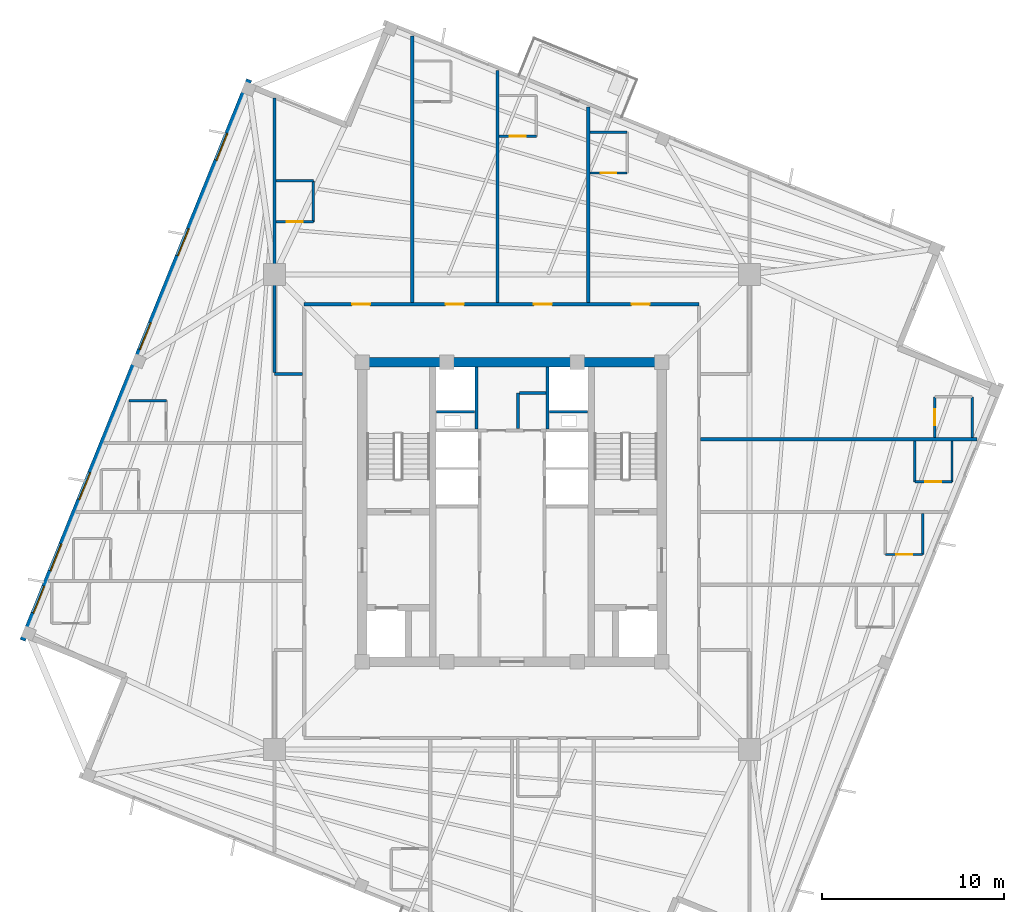
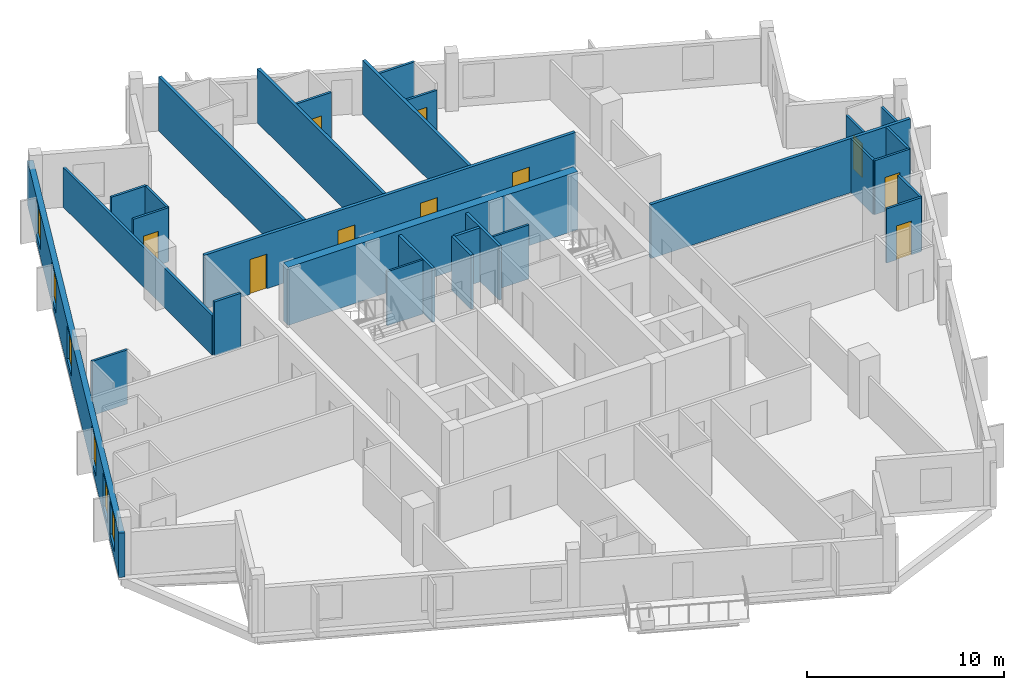
# One storey, part 5 of 9: 29 walls, 10 doors, 6 windows, 16 openings.
"""IFC4 building model written with IfcOpenShell, lengths in metres."""

from ifc_helpers import new_model, si_unit, direction, frame, frame_2d, origin, place, context, subcontext, project, spatial, rectangle, extrude, source, transform, mapped, material, layer, layer_set, type_object, element, fill, save


model = new_model("IFC4")

# Units and contexts
model_context = context("Model", 3, precision=1e-05, world=origin(), true_north=direction((0.0, 1.0)))
body_context = subcontext(model_context, "Body", "Model", "MODEL_VIEW")
ifc_project = project(units=[si_unit("LENGTHUNIT", "METRE"), si_unit("AREAUNIT", "SQUARE_METRE"), si_unit("VOLUMEUNIT", "CUBIC_METRE"), si_unit("PLANEANGLEUNIT", "RADIAN"), si_unit("MASSUNIT", "GRAM", prefix="KILO"), si_unit("THERMODYNAMICTEMPERATUREUNIT", "KELVIN")], contexts=[model_context])

# Site, building, storey
site_placement = place(None, origin())
site = spatial("IfcSite", under=ifc_project, at=site_placement, CompositionType="ELEMENT")
building_placement = place(site_placement, origin())
building = spatial("IfcBuilding", under=site, at=building_placement, Name="Kosmvard Interchange Tower", CompositionType="ELEMENT")
storey_placement = place(building_placement, frame((0.0, 0.0, 276.0)))
storey = spatial("IfcBuildingStorey", under=building, at=storey_placement, Name="L67", CompositionType="ELEMENT", Elevation=276.0)

# Walls
ifc_material_1 = material(Name="Acoustic gypsum partition system")
ifc_layer_1 = layer(ifc_material_1, 0.14990234375, Name="Acoustic gypsum partition system")
ifc_layer_set_1 = layer_set([ifc_layer_1], Name="Acoustic gypsum partition system")
wall_type_1 = type_object("IfcWallType", Name="Acoustic Suite & Meeting Partition 150", PredefinedType="PARTITIONING", material=ifc_layer_set_1)
wall_1_placement = place(storey_placement, frame((-11.544921875, 7.60009765625, 0.0), z_axis=(0.0, 0.0, 1.0), x_axis=(-1.0, 0.0, 0.0)))
element("IfcWall", 1, at=wall_1_placement, inside=storey, type_object=wall_type_1, Name="L67 Room Partition 13.1", PredefinedType="PARTITIONING", context=body_context, shape_type="SweptSolid", body=[
    extrude(rectangle(XDim=1.5361328125, YDim=0.14990234375, at=frame_2d((0.76806640625, 0.0))), origin(), (0.0, 0.0, 1.0), 3.35009765625),
])
wall_2_placement = place(storey_placement, frame((-13.0810546875, 7.675048828125, 0.0), z_axis=(0.0, 0.0, 1.0), x_axis=(0.0, 1.0, 0.0)))
element("IfcWall", 2, at=wall_2_placement, inside=storey, type_object=wall_type_1, Name="L67 Room Partition 14.1", PredefinedType="PARTITIONING", context=body_context, shape_type="SweptSolid", body=[
    extrude(rectangle(XDim=15.1416015625, YDim=0.14990234375, at=frame_2d((7.57080078125, 0.0))), origin(), (0.0, 0.0, 1.0), 2.449951171875),
])
ifc_material_2 = material(Name="Fire-rated gypsum partition system")
ifc_layer_2 = layer(ifc_material_2, 0.159912109375, Name="Fire-rated gypsum partition system")
ifc_layer_set_2 = layer_set([ifc_layer_2], Name="Fire-rated gypsum partition system")
wall_type_2 = type_object("IfcWallType", Name="Core Compartment & Shuttle Lobby Partition 160", PredefinedType="PARTITIONING", material=ifc_layer_set_2)
for number, where, z_axis, x_axis, name in (
    (3, (-1.9599609375, 4.580078125, 0.0), (0.0, 0.0, 1.0), (0.0, 1.0, 0.0), "L67 North Core West Wall"),
    (4, (1.9599609375, 4.580078125, 0.0), (0.0, 0.0, 1.0), (0.0, 1.0, 0.0), "L67 North Core East Wall"),
):
    element("IfcWall", number, at=place(storey_placement, frame(where, z_axis=z_axis, x_axis=x_axis)), inside=storey, type_object=wall_type_2, Name=name, PredefinedType="PARTITIONING", context=body_context, shape_type="SweptSolid", body=[
        extrude(rectangle(XDim=3.39990234375, YDim=0.159912109375, at=frame_2d((1.699951171875, 0.0))), origin(), (0.0, 0.0, 1.0), 3.35009765625),
    ])
ifc_material_3 = material(Name="Concrete blockwork masonry", Category="masonry")
ifc_layer_3 = layer(ifc_material_3, 0.159912109375, Name="Concrete blockwork masonry")
ifc_layer_set_3 = layer_set([ifc_layer_3], Name="Concrete blockwork masonry")
wall_type_3 = type_object("IfcWallType", Name="Core Enclosure Split Wall 160", PredefinedType="PARTITIONING", material=ifc_layer_set_3)
wall_3_placement = place(storey_placement, frame((0.320068359375, 4.60009765625, 0.0), z_axis=(0.0, 0.0, 1.0), x_axis=(0.0, 1.0, 0.0)))
element("IfcWall", 5, at=wall_3_placement, inside=storey, type_object=wall_type_3, Name="L67 Core K3 L-Wall 1", PredefinedType="PARTITIONING", context=body_context, shape_type="SweptSolid", body=[
    extrude(rectangle(XDim=1.949951171875, YDim=0.159912109375, at=frame_2d((0.97509765625, 0.0))), origin(), (0.0, 0.0, 1.0), 3.35009765625),
])
wall_4_placement = place(storey_placement, frame((0.39990234375, 6.550048828125, 0.0), z_axis=(0.0, 0.0, 1.0), x_axis=(1.0, 0.0, 0.0)))
element("IfcWall", 6, at=wall_4_placement, inside=storey, type_object=wall_type_3, Name="L67 Core K3 L-Wall 2", PredefinedType="PARTITIONING", context=body_context, shape_type="SweptSolid", body=[
    extrude(rectangle(XDim=1.460205078125, YDim=0.159912109375, at=frame_2d((0.72998046875, 0.0))), origin(), (0.0, 0.0, 1.0), 3.35009765625),
])

# Wall, openings, doors
ifc_layer_4 = layer(ifc_material_2, 0.179931640625, Name="Fire-rated gypsum partition system")
ifc_layer_set_4 = layer_set([ifc_layer_4], Name="Fire-rated gypsum partition system")
wall_type_4 = type_object("IfcWallType", Name="Corridor & Hotel Compartment Partition 180", PredefinedType="PARTITIONING", material=ifc_layer_set_4)
wall_5_placement = place(storey_placement, frame((-11.449951171875, 11.449951171875, 0.0), z_axis=(0.0, 0.0, 1.0), x_axis=(1.0, 0.0, 0.0)))
wall_5 = element("IfcWall", 7, at=wall_5_placement, inside=storey, type_object=wall_type_4, Name="L67 Corridor Wall CN", PredefinedType="PARTITIONING", context=body_context, shape_type="SweptSolid", body=[
    extrude(rectangle(XDim=21.75, YDim=0.179931640625, at=frame_2d((10.875, 0.0))), origin(), (0.0, 0.0, 1.0), 3.35009765625),
])
opening_1_placement = place(wall_5_placement, frame((2.639404296875, 0.0, 0.0)))
opening_1 = element("IfcOpeningElement", 8, at=opening_1_placement, cuts=wall_5, Name="Opening L67-D06", PredefinedType="OPENING", context=body_context, shape_type="SweptSolid", body=[
    extrude(rectangle(XDim=1.0, YDim=2.14990234375, at=frame_2d((0.5, 1.074951171875))), frame((0.0, 0.10009765625, 0.0), z_axis=(0.0, -1.0, 0.0), x_axis=(1.0, 0.0, 0.0)), (0.0, 0.0, 1.0), 0.199951171875),
])
opening_2_placement = place(wall_5_placement, frame((7.800048828125, 0.0, 0.0)))
opening_2 = element("IfcOpeningElement", 9, at=opening_2_placement, cuts=wall_5, Name="Opening L67-D08", PredefinedType="OPENING", context=body_context, shape_type="SweptSolid", body=[
    extrude(rectangle(XDim=1.0, YDim=2.14990234375, at=frame_2d((0.5, 1.074951171875))), frame((0.0, 0.10009765625, 0.0), z_axis=(0.0, -1.0, 0.0), x_axis=(1.0, 0.0, 0.0)), (0.0, 0.0, 1.0), 0.199951171875),
])
opening_3_placement = place(wall_5_placement, frame((12.64990234375, 0.0, 0.0)))
opening_3 = element("IfcOpeningElement", 10, at=opening_3_placement, cuts=wall_5, Name="Opening L67-D10", PredefinedType="OPENING", context=body_context, shape_type="SweptSolid", body=[
    extrude(rectangle(XDim=1.0, YDim=2.14990234375, at=frame_2d((0.5, 1.074951171875))), frame((0.0, 0.10009765625, 0.0), z_axis=(0.0, -1.0, 0.0), x_axis=(1.0, 0.0, 0.0)), (0.0, 0.0, 1.0), 0.199951171875),
])
opening_4_placement = place(wall_5_placement, frame((18.03564453125, 0.0, 0.0)))
opening_4 = element("IfcOpeningElement", 11, at=opening_4_placement, cuts=wall_5, Name="Opening L67-D12", PredefinedType="OPENING", context=body_context, shape_type="SweptSolid", body=[
    extrude(rectangle(XDim=1.0, YDim=2.14990234375, at=frame_2d((0.5, 1.074951171875))), frame((0.0, 0.10009765625, 0.0), z_axis=(0.0, -1.0, 0.0), x_axis=(1.0, 0.0, 0.0)), (0.0, 0.0, 1.0), 0.199951171875),
])
ifc_material_4 = material(Name="Engineered oak fire-rated timber", Category="wood")
door_type_1 = type_object("IfcDoorType", Name="Hotel Guestroom Entrance Door 1000x2150 EI60", OperationType="NOTDEFINED", PredefinedType="DOOR", material=ifc_material_4)
shared_shape_1 = source(origin(), body_context, "Body", "SweptSolid", [
    extrude(rectangle(XDim=1.0, YDim=2.14990234375, at=frame_2d((0.5, 1.074951171875))), frame((0.0, 0.02490234375, 0.0), z_axis=(0.0, -1.0, 0.0), x_axis=(1.0, 0.0, 0.0)), (0.0, 0.0, 1.0), 0.050048828125),
])
door_1_placement = place(opening_1_placement, origin())
door_1 = element("IfcDoor", 12, at=door_1_placement, inside=storey, type_object=door_type_1, Name="L67 Hotel Standard Junior Suite 3 Door", OperationType="SINGLE_SWING_RIGHT", OverallHeight=2.14990234375, OverallWidth=1.0, PredefinedType="DOOR", context=body_context, shape_type="MappedRepresentation", body=[
    mapped(shared_shape_1, transform((0.0, 0.0, 0.0), scale=1.0)),
])
fill(opening_1, door_1)
door_2_placement = place(opening_2_placement, origin())
door_2 = element("IfcDoor", 13, at=door_2_placement, inside=storey, type_object=door_type_1, Name="L67 Hotel Corner Suite 1 Door", OperationType="SINGLE_SWING_RIGHT", OverallHeight=2.14990234375, OverallWidth=1.0, PredefinedType="DOOR", context=body_context, shape_type="MappedRepresentation", body=[
    mapped(shared_shape_1, transform((0.0, 0.0, 0.0), scale=1.0)),
])
fill(opening_2, door_2)
door_3_placement = place(opening_3_placement, origin())
door_3 = element("IfcDoor", 14, at=door_3_placement, inside=storey, type_object=door_type_1, Name="L67 Hotel Twin Guest Room 4 Door", OperationType="SINGLE_SWING_RIGHT", OverallHeight=2.14990234375, OverallWidth=1.0, PredefinedType="DOOR", context=body_context, shape_type="MappedRepresentation", body=[
    mapped(shared_shape_1, transform((0.0, 0.0, 0.0), scale=1.0)),
])
fill(opening_3, door_3)
door_4_placement = place(opening_4_placement, origin())
door_4 = element("IfcDoor", 15, at=door_4_placement, inside=storey, type_object=door_type_1, Name="L67 Hotel Queen Junior Suite 5 Door", OperationType="SINGLE_SWING_RIGHT", OverallHeight=2.14990234375, OverallWidth=1.0, PredefinedType="DOOR", context=body_context, shape_type="MappedRepresentation", body=[
    mapped(shared_shape_1, transform((0.0, 0.0, 0.0), scale=1.0)),
])
fill(opening_4, door_4)

# Walls
wall_6_placement = place(storey_placement, frame((-5.5, 11.544921875, 0.0), z_axis=(0.0, 0.0, 1.0), x_axis=(0.0, 1.0, 0.0)))
element("IfcWall", 16, at=wall_6_placement, inside=storey, type_object=wall_type_4, Name="L67 Room Partition 01.1", PredefinedType="PARTITIONING", context=body_context, shape_type="SweptSolid", body=[
    extrude(rectangle(XDim=14.679931640625, YDim=0.179931640625, at=frame_2d((7.33984375, 0.0))), origin(), (0.0, 0.0, 1.0), 3.35009765625),
])
wall_7_placement = place(storey_placement, frame((-0.800048828125, 11.544921875, 0.0), z_axis=(0.0, 0.0, 1.0), x_axis=(0.0, 1.0, 0.0)))
element("IfcWall", 17, at=wall_7_placement, inside=storey, type_object=wall_type_4, Name="L67 Room Partition 02.1", PredefinedType="PARTITIONING", context=body_context, shape_type="SweptSolid", body=[
    extrude(rectangle(XDim=12.781005859375, YDim=0.179931640625, at=frame_2d((6.390625, 0.0))), origin(), (0.0, 0.0, 1.0), 3.35009765625),
])
wall_8_placement = place(storey_placement, frame((4.199951171875, 11.544921875, 0.0), z_axis=(0.0, 0.0, 1.0), x_axis=(0.0, 1.0, 0.0)))
element("IfcWall", 18, at=wall_8_placement, inside=storey, type_object=wall_type_4, Name="L67 Room Partition 03.1", PredefinedType="PARTITIONING", context=body_context, shape_type="SweptSolid", body=[
    extrude(rectangle(XDim=10.760986328125, YDim=0.179931640625, at=frame_2d((5.38037109375, 0.0))), origin(), (0.0, 0.0, 1.0), 3.35009765625),
])
wall_9_placement = place(storey_placement, frame((10.39501953125, 4.0, 0.0), z_axis=(0.0, 0.0, 1.0), x_axis=(1.0, 0.0, 0.0)))
element("IfcWall", 19, at=wall_9_placement, inside=storey, type_object=wall_type_4, Name="L67 Room Partition 04.1", PredefinedType="PARTITIONING", context=body_context, shape_type="SweptSolid", body=[
    extrude(rectangle(XDim=15.223876953125, YDim=0.179931640625, at=frame_2d((7.61181640625, 0.0))), origin(), (0.0, 0.0, 1.0), 3.35009765625),
])
ifc_material_5 = material(Name="Fire-rated gypsum shaftwall system")
ifc_layer_5 = layer(ifc_material_5, 0.1201171875, Name="Fire-rated gypsum shaftwall system")
ifc_layer_set_5 = layer_set([ifc_layer_5], Name="Fire-rated gypsum shaftwall system")
wall_type_5 = type_object("IfcWallType", Name="Shaft & Riser Fire Partition 120 EI60", PredefinedType="PARTITIONING", material=ifc_layer_set_5)
for number, where, z_axis, x_axis, name in (
    (20, (-4.159912109375, 5.52001953125, 0.0), (0.0, 0.0, 1.0), (1.0, 0.0, 0.0), "L67 Riser Shaft Divider W"),
    (21, (2.06005859375, 5.52001953125, 0.0), (0.0, 0.0, 1.0), (1.0, 0.0, 0.0), "L67 Riser Shaft Divider E"),
):
    element("IfcWall", number, at=place(storey_placement, frame(where, z_axis=z_axis, x_axis=x_axis)), inside=storey, type_object=wall_type_5, Name=name, PredefinedType="PARTITIONING", context=body_context, shape_type="SweptSolid", body=[
        extrude(rectangle(XDim=2.099853515625, YDim=0.1201171875, at=frame_2d((1.0498046875, 0.0))), origin(), (0.0, 0.0, 1.0), 3.35009765625),
    ])
ifc_material_6 = material(Name="Concrete C60/75", Category="concrete")
ifc_layer_6 = layer(ifc_material_6, 0.5, Name="Concrete C60/75")
ifc_layer_set_6 = layer_set([ifc_layer_6], Name="Concrete C60/75")
wall_type_6 = type_object("IfcWallType", Name="Upper Core Shear Wall 500 C60/75", PredefinedType="SHEAR", material=ifc_layer_set_6)
wall_10_placement = place(storey_placement, frame((-8.5, 8.25, 0.0), z_axis=(0.0, 0.0, 1.0), x_axis=(1.0, 0.0, 0.0)))
element("IfcWall", 22, at=wall_10_placement, inside=storey, type_object=wall_type_6, Name="L67 Core Shear Wall CW-N", PredefinedType="SHEAR", context=body_context, shape_type="SweptSolid", body=[
    extrude(rectangle(XDim=17.0, YDim=0.5, at=frame_2d((8.5, 0.0))), origin(), (0.0, 0.0, 1.0), 3.60009765625),
])

# Wall, openings, windows
ifc_material_7 = material(Name="Precast concrete C45/55", Category="concrete")
ifc_layer_7 = layer(ifc_material_7, 0.31005859375, Name="Precast concrete C45/55")
ifc_layer_set_7 = layer_set([ifc_layer_7], Name="Precast concrete C45/55")
wall_type_7 = type_object("IfcWallType", Name="Upper Tower Precast Pier Wall 310 C45/55", PredefinedType="STANDARD", material=ifc_layer_set_7)
wall_11_placement = place(storey_placement, frame((-14.478759765625, 23.812744140625, 0.0), z_axis=(0.0, 0.0, 1.0), x_axis=(-0.374609557019, -0.927182657188, 0.0)))
wall_11 = element("IfcWall", 23, at=wall_11_placement, inside=storey, type_object=wall_type_7, Name="L67 Precast Facade Wall F-N", PredefinedType="STANDARD", context=body_context, shape_type="SweptSolid", body=[
    extrude(rectangle(XDim=33.31005859375, YDim=0.31005859375, at=frame_2d((16.655029296875, 0.0))), origin(), (0.0, 0.0, 1.0), 2.75),
])
opening_5_placement = place(wall_11_placement, frame((3.197265625, 0.0, 0.469970703125)))
opening_5 = element("IfcOpeningElement", 24, at=opening_5_placement, cuts=wall_11, Name="Opening L67-W10", PredefinedType="OPENING", context=body_context, shape_type="SweptSolid", body=[
    extrude(rectangle(XDim=1.60009765625, YDim=2.10009765625, at=frame_2d((0.800048828125, 1.050048828125))), frame((0.0, 0.1650390625, 0.0), z_axis=(0.0, -1.0, 0.0), x_axis=(1.0, 0.0, 0.0)), (0.0, 0.0, 1.0), 0.330078125),
])
opening_6_placement = place(wall_11_placement, frame((8.85986328125, 0.0, 0.469970703125)))
opening_6 = element("IfcOpeningElement", 25, at=opening_6_placement, cuts=wall_11, Name="Opening L67-W11", PredefinedType="OPENING", context=body_context, shape_type="SweptSolid", body=[
    extrude(rectangle(XDim=1.60009765625, YDim=2.10009765625, at=frame_2d((0.800048828125, 1.050048828125))), frame((0.0, 0.1650390625, 0.0), z_axis=(0.0, -1.0, 0.0), x_axis=(1.0, 0.0, 0.0)), (0.0, 0.0, 1.0), 0.330078125),
])
opening_7_placement = place(wall_11_placement, frame((14.438720703125, 0.0, 0.469970703125)))
opening_7 = element("IfcOpeningElement", 26, at=opening_7_placement, cuts=wall_11, Name="Opening L67-W12", PredefinedType="OPENING", context=body_context, shape_type="SweptSolid", body=[
    extrude(rectangle(XDim=1.60009765625, YDim=2.10009765625, at=frame_2d((0.800048828125, 1.050048828125))), frame((0.0, 0.1650390625, 0.0), z_axis=(0.0, -1.0, 0.0), x_axis=(1.0, 0.0, 0.0)), (0.0, 0.0, 1.0), 0.330078125),
])
opening_8_placement = place(wall_11_placement, frame((23.350830078125, 0.0, 0.469970703125)))
opening_8 = element("IfcOpeningElement", 27, at=opening_8_placement, cuts=wall_11, Name="Opening L67-W13", PredefinedType="OPENING", context=body_context, shape_type="SweptSolid", body=[
    extrude(rectangle(XDim=1.60009765625, YDim=2.10009765625, at=frame_2d((0.800048828125, 1.050048828125))), frame((0.0, 0.1650390625, 0.0), z_axis=(0.0, -1.0, 0.0), x_axis=(1.0, 0.0, 0.0)), (0.0, 0.0, 1.0), 0.330078125),
])
opening_9_placement = place(wall_11_placement, frame((30.0966796875, 0.0, 0.469970703125)))
opening_9 = element("IfcOpeningElement", 28, at=opening_9_placement, cuts=wall_11, Name="Opening L67-W14", PredefinedType="OPENING", context=body_context, shape_type="SweptSolid", body=[
    extrude(rectangle(XDim=1.60009765625, YDim=2.10009765625, at=frame_2d((0.800048828125, 1.050048828125))), frame((0.0, 0.1650390625, 0.0), z_axis=(0.0, -1.0, 0.0), x_axis=(1.0, 0.0, 0.0)), (0.0, 0.0, 1.0), 0.330078125),
])
opening_10_placement = place(wall_11_placement, frame((27.58984375, 0.0, 0.469970703125)))
opening_10 = element("IfcOpeningElement", 29, at=opening_10_placement, cuts=wall_11, Name="Opening L67-DW23", PredefinedType="OPENING", context=body_context, shape_type="SweptSolid", body=[
    extrude(rectangle(XDim=1.60009765625, YDim=2.10009765625, at=frame_2d((0.800048828125, 1.050048828125))), frame((0.0, 0.1650390625, 0.0), z_axis=(0.0, -1.0, 0.0), x_axis=(1.0, 0.0, 0.0)), (0.0, 0.0, 1.0), 0.330078125),
])
ifc_material_8 = material(Name="Low-E acoustic double glazing", Category="glass")
window_type = type_object("IfcWindowType", Name="Zone 5 Hotel Punched Window 1600x2100", PartitioningType="SINGLE_PANEL", PredefinedType="WINDOW", material=ifc_material_8)
shared_shape_2 = source(origin(), body_context, "Body", "SweptSolid", [
    extrude(rectangle(XDim=1.60009765625, YDim=2.10009765625, at=frame_2d((0.800048828125, 1.050048828125))), frame((0.0, 0.030029296875, 0.0), z_axis=(0.0, -1.0, 0.0), x_axis=(1.0, 0.0, 0.0)), (0.0, 0.0, 1.0), 0.06005859375),
])
window_1_placement = place(opening_5_placement, origin())
window_1 = element("IfcWindow", 30, at=window_1_placement, inside=storey, type_object=window_type, Name="L67 Facade Punched Window 10", OverallHeight=2.10009765625, OverallWidth=1.60009765625, PartitioningType="SINGLE_PANEL", PredefinedType="WINDOW", context=body_context, shape_type="MappedRepresentation", body=[
    mapped(shared_shape_2, transform((0.0, 0.0, 0.0), scale=1.0)),
])
fill(opening_5, window_1)
window_2_placement = place(opening_6_placement, origin())
window_2 = element("IfcWindow", 31, at=window_2_placement, inside=storey, type_object=window_type, Name="L67 Facade Punched Window 11", OverallHeight=2.10009765625, OverallWidth=1.60009765625, PartitioningType="SINGLE_PANEL", PredefinedType="WINDOW", context=body_context, shape_type="MappedRepresentation", body=[
    mapped(shared_shape_2, transform((0.0, 0.0, 0.0), scale=1.0)),
])
fill(opening_6, window_2)
window_3_placement = place(opening_7_placement, origin())
window_3 = element("IfcWindow", 32, at=window_3_placement, inside=storey, type_object=window_type, Name="L67 Facade Punched Window 12", OverallHeight=2.10009765625, OverallWidth=1.60009765625, PartitioningType="SINGLE_PANEL", PredefinedType="WINDOW", context=body_context, shape_type="MappedRepresentation", body=[
    mapped(shared_shape_2, transform((0.0, 0.0, 0.0), scale=1.0)),
])
fill(opening_7, window_3)
window_4_placement = place(opening_8_placement, origin())
window_4 = element("IfcWindow", 33, at=window_4_placement, inside=storey, type_object=window_type, Name="L67 Facade Punched Window 13", OverallHeight=2.10009765625, OverallWidth=1.60009765625, PartitioningType="SINGLE_PANEL", PredefinedType="WINDOW", context=body_context, shape_type="MappedRepresentation", body=[
    mapped(shared_shape_2, transform((0.0, 0.0, 0.0), scale=1.0)),
])
fill(opening_8, window_4)
window_5_placement = place(opening_9_placement, origin())
window_5 = element("IfcWindow", 34, at=window_5_placement, inside=storey, type_object=window_type, Name="L67 Facade Punched Window 14", OverallHeight=2.10009765625, OverallWidth=1.60009765625, PartitioningType="SINGLE_PANEL", PredefinedType="WINDOW", context=body_context, shape_type="MappedRepresentation", body=[
    mapped(shared_shape_2, transform((0.0, 0.0, 0.0), scale=1.0)),
])
fill(opening_9, window_5)
window_6_placement = place(opening_10_placement, origin())
window_6 = element("IfcWindow", 35, at=window_6_placement, inside=storey, type_object=window_type, Name="L67 Guest Room Punched Window 23", OverallHeight=2.10009765625, OverallWidth=1.60009765625, PartitioningType="SINGLE_PANEL", PredefinedType="WINDOW", context=body_context, shape_type="MappedRepresentation", body=[
    mapped(shared_shape_2, transform((0.0, 0.0, 0.0), scale=1.0)),
])
fill(opening_10, window_6)

# Wall
ifc_material_9 = material(Name="Moisture-resistant gypsum partition")
ifc_layer_8 = layer(ifc_material_9, 0.135009765625, Name="Moisture-resistant gypsum partition")
ifc_layer_set_8 = layer_set([ifc_layer_8], Name="Moisture-resistant gypsum partition")
wall_type_8 = type_object("IfcWallType", Name="Wet Room Moisture-Resistant Partition 135", PredefinedType="PARTITIONING", material=ifc_layer_set_8)
wall_12_placement = place(storey_placement, frame((-21.084228515625, 6.139892578125, 0.0), z_axis=(0.0, 0.0, 1.0), x_axis=(1.0, 0.0, 0.0)))
element("IfcWall", 36, at=wall_12_placement, inside=storey, type_object=wall_type_8, Name="L67 En-Suite Partition HGR2-N", PredefinedType="PARTITIONING", context=body_context, shape_type="SweptSolid", body=[
    extrude(rectangle(XDim=2.050048828125, YDim=0.135009765625, at=frame_2d((1.02490234375, 0.0))), origin(), (0.0, 0.0, 1.0), 3.35009765625),
])

# Wall, opening, door
wall_13_placement = place(storey_placement, frame((-12.990966796875, 15.98583984375, 0.0), z_axis=(0.0, 0.0, 1.0), x_axis=(1.0, 0.0, 0.0)))
wall_13 = element("IfcWall", 37, at=wall_13_placement, inside=storey, type_object=wall_type_8, Name="L67 En-Suite Partition HGR3-S", PredefinedType="PARTITIONING", context=body_context, shape_type="SweptSolid", body=[
    extrude(rectangle(XDim=2.050048828125, YDim=0.135009765625, at=frame_2d((1.02490234375, 0.0))), origin(), (0.0, 0.0, 1.0), 3.35009765625),
])
opening_11_placement = place(wall_13_placement, frame((0.5849609375, 0.0, 0.0)))
opening_11 = element("IfcOpeningElement", 38, at=opening_11_placement, cuts=wall_13, Name="Opening L67-ED07", PredefinedType="OPENING", context=body_context, shape_type="SweptSolid", body=[
    extrude(rectangle(XDim=0.8798828125, YDim=2.10009765625, at=frame_2d((0.43994140625, 1.050048828125))), frame((0.0, 0.07763671875, 0.0), z_axis=(0.0, -1.0, 0.0), x_axis=(1.0, 0.0, 0.0)), (0.0, 0.0, 1.0), 0.155029296875),
])
ifc_material_10 = material(Name="Laminated moisture-resistant timber", Category="wood")
door_type_2 = type_object("IfcDoorType", Name="En-Suite & Washroom Door 880x2100", OperationType="NOTDEFINED", PredefinedType="DOOR", material=ifc_material_10)
shared_shape_3 = source(origin(), body_context, "Body", "SweptSolid", [
    extrude(rectangle(XDim=0.8798828125, YDim=2.10009765625, at=frame_2d((0.43994140625, 1.050048828125))), frame((0.0, 0.02490234375, 0.0), z_axis=(0.0, -1.0, 0.0), x_axis=(1.0, 0.0, 0.0)), (0.0, 0.0, 1.0), 0.050048828125),
])
door_5_placement = place(opening_11_placement, origin())
door_5 = element("IfcDoor", 39, at=door_5_placement, inside=storey, type_object=door_type_2, Name="L67 HGR3 En-Suite Door", OperationType="SINGLE_SWING_RIGHT", OverallHeight=2.10009765625, OverallWidth=0.8798828125, PredefinedType="DOOR", context=body_context, shape_type="MappedRepresentation", body=[
    mapped(shared_shape_3, transform((0.0, 0.0, 0.0), scale=1.0)),
])
fill(opening_11, door_5)

# Walls
wall_14_placement = place(storey_placement, frame((-10.94091796875, 15.98583984375, 0.0), z_axis=(0.0, 0.0, 1.0), x_axis=(0.0, 1.0, 0.0)))
element("IfcWall", 40, at=wall_14_placement, inside=storey, type_object=wall_type_8, Name="L67 En-Suite Partition HGR3-E", PredefinedType="PARTITIONING", context=body_context, shape_type="SweptSolid", body=[
    extrude(rectangle(XDim=2.25, YDim=0.135009765625, at=frame_2d((1.125, 0.0))), origin(), (0.0, 0.0, 1.0), 3.35009765625),
])
wall_15_placement = place(storey_placement, frame((-12.990966796875, 18.23583984375, 0.0), z_axis=(0.0, 0.0, 1.0), x_axis=(1.0, 0.0, 0.0)))
element("IfcWall", 41, at=wall_15_placement, inside=storey, type_object=wall_type_8, Name="L67 En-Suite Partition HGR3-N", PredefinedType="PARTITIONING", context=body_context, shape_type="SweptSolid", body=[
    extrude(rectangle(XDim=2.050048828125, YDim=0.135009765625, at=frame_2d((1.02490234375, 0.0))), origin(), (0.0, 0.0, 1.0), 3.35009765625),
])

# Wall, opening, door
wall_16_placement = place(storey_placement, frame((-0.7099609375, 20.692626953125, 0.0), z_axis=(0.0, 0.0, 1.0), x_axis=(1.0, 0.0, 0.0)))
wall_16 = element("IfcWall", 42, at=wall_16_placement, inside=storey, type_object=wall_type_8, Name="L67 En-Suite Partition HGR4-S", PredefinedType="PARTITIONING", context=body_context, shape_type="SweptSolid", body=[
    extrude(rectangle(XDim=2.050048828125, YDim=0.135009765625, at=frame_2d((1.02490234375, 0.0))), origin(), (0.0, 0.0, 1.0), 3.35009765625),
])
opening_12_placement = place(wall_16_placement, frame((0.5849609375, 0.0, 0.0)))
opening_12 = element("IfcOpeningElement", 43, at=opening_12_placement, cuts=wall_16, Name="Opening L67-ED11", PredefinedType="OPENING", context=body_context, shape_type="SweptSolid", body=[
    extrude(rectangle(XDim=0.8798828125, YDim=2.10009765625, at=frame_2d((0.43994140625, 1.050048828125))), frame((0.0, 0.07763671875, 0.0), z_axis=(0.0, -1.0, 0.0), x_axis=(1.0, 0.0, 0.0)), (0.0, 0.0, 1.0), 0.155029296875),
])
door_6_placement = place(opening_12_placement, origin())
door_6 = element("IfcDoor", 44, at=door_6_placement, inside=storey, type_object=door_type_2, Name="L67 HGR4 En-Suite Door", OperationType="SINGLE_SWING_RIGHT", OverallHeight=2.10009765625, OverallWidth=0.8798828125, PredefinedType="DOOR", context=body_context, shape_type="MappedRepresentation", body=[
    mapped(shared_shape_3, transform((0.0, 0.0, 0.0), scale=1.0)),
])
fill(opening_12, door_6)

wall_17_placement = place(storey_placement, frame((4.2900390625, 18.672607421875, 0.0), z_axis=(0.0, 0.0, 1.0), x_axis=(1.0, 0.0, 0.0)))
wall_17 = element("IfcWall", 45, at=wall_17_placement, inside=storey, type_object=wall_type_8, Name="L67 En-Suite Partition HGR5-S", PredefinedType="PARTITIONING", context=body_context, shape_type="SweptSolid", body=[
    extrude(rectangle(XDim=2.050048828125, YDim=0.135009765625, at=frame_2d((1.02490234375, 0.0))), origin(), (0.0, 0.0, 1.0), 2.949951171875),
])
opening_13_placement = place(wall_17_placement, frame((0.5849609375, 0.0, 0.0)))
opening_13 = element("IfcOpeningElement", 46, at=opening_13_placement, cuts=wall_17, Name="Opening L67-ED13", PredefinedType="OPENING", context=body_context, shape_type="SweptSolid", body=[
    extrude(rectangle(XDim=0.8798828125, YDim=2.10009765625, at=frame_2d((0.43994140625, 1.050048828125))), frame((0.0, 0.07763671875, 0.0), z_axis=(0.0, -1.0, 0.0), x_axis=(1.0, 0.0, 0.0)), (0.0, 0.0, 1.0), 0.155029296875),
])
door_7_placement = place(opening_13_placement, origin())
door_7 = element("IfcDoor", 47, at=door_7_placement, inside=storey, type_object=door_type_2, Name="L67 HGR5 En-Suite Door", OperationType="SINGLE_SWING_RIGHT", OverallHeight=2.10009765625, OverallWidth=0.8798828125, PredefinedType="DOOR", context=body_context, shape_type="MappedRepresentation", body=[
    mapped(shared_shape_3, transform((0.0, 0.0, 0.0), scale=1.0)),
])
fill(opening_13, door_7)

# Walls
wall_18_placement = place(storey_placement, frame((4.2900390625, 20.922607421875, 0.0), z_axis=(0.0, 0.0, 1.0), x_axis=(1.0, 0.0, 0.0)))
element("IfcWall", 48, at=wall_18_placement, inside=storey, type_object=wall_type_8, Name="L67 En-Suite Partition HGR5-N", PredefinedType="PARTITIONING", context=body_context, shape_type="SweptSolid", body=[
    extrude(rectangle(XDim=2.050048828125, YDim=0.135009765625, at=frame_2d((1.02490234375, 0.0))), origin(), (0.0, 0.0, 1.0), 3.35009765625),
])
wall_19_placement = place(storey_placement, frame((25.341552734375, 4.090087890625, 0.0), z_axis=(0.0, 0.0, 1.0), x_axis=(0.0, 1.0, 0.0)))
element("IfcWall", 49, at=wall_19_placement, inside=storey, type_object=wall_type_8, Name="L67 En-Suite Partition HCS2-E", PredefinedType="PARTITIONING", context=body_context, shape_type="SweptSolid", body=[
    extrude(rectangle(XDim=2.25, YDim=0.135009765625, at=frame_2d((1.125, 0.0))), origin(), (0.0, 0.0, 1.0), 2.75),
])

# Wall, opening, door
wall_20_placement = place(storey_placement, frame((23.29150390625, 4.090087890625, 0.0), z_axis=(0.0, 0.0, 1.0), x_axis=(0.0, 1.0, 0.0)))
wall_20 = element("IfcWall", 50, at=wall_20_placement, inside=storey, type_object=wall_type_8, Name="L67 En-Suite Partition HCS2-W", PredefinedType="PARTITIONING", context=body_context, shape_type="SweptSolid", body=[
    extrude(rectangle(XDim=2.25, YDim=0.135009765625, at=frame_2d((1.125, 0.0))), origin(), (0.0, 0.0, 1.0), 2.949951171875),
])
opening_14_placement = place(wall_20_placement, frame((0.68505859375, 0.0, 0.0)))
opening_14 = element("IfcOpeningElement", 51, at=opening_14_placement, cuts=wall_20, Name="Opening L67-ED15", PredefinedType="OPENING", context=body_context, shape_type="SweptSolid", body=[
    extrude(rectangle(XDim=0.8798828125, YDim=2.10009765625, at=frame_2d((0.43994140625, 1.050048828125))), frame((0.0, 0.07763671875, 0.0), z_axis=(0.0, -1.0, 0.0), x_axis=(1.0, 0.0, 0.0)), (0.0, 0.0, 1.0), 0.155029296875),
])
door_8_placement = place(opening_14_placement, frame((0.8798828125, 0.0, 0.0), z_axis=(0.0, 0.0, 1.0), x_axis=(-1.0, 0.0, 0.0)))
door_8 = element("IfcDoor", 52, at=door_8_placement, inside=storey, type_object=door_type_2, Name="L67 HCS2 En-Suite Door", OperationType="SINGLE_SWING_RIGHT", OverallHeight=2.10009765625, OverallWidth=0.8798828125, PredefinedType="DOOR", context=body_context, shape_type="MappedRepresentation", body=[
    mapped(shared_shape_3, transform((0.0, 0.0, 0.0), scale=1.0)),
])
fill(opening_14, door_8)

wall_21_placement = place(storey_placement, frame((22.185546875, 1.659912109375, 0.0), z_axis=(0.0, 0.0, 1.0), x_axis=(1.0, 0.0, 0.0)))
wall_21 = element("IfcWall", 53, at=wall_21_placement, inside=storey, type_object=wall_type_8, Name="L67 En-Suite Partition HGR6-S", PredefinedType="PARTITIONING", context=body_context, shape_type="SweptSolid", body=[
    extrude(rectangle(XDim=2.050048828125, YDim=0.135009765625, at=frame_2d((1.02490234375, 0.0))), origin(), (0.0, 0.0, 1.0), 3.35009765625),
])
opening_15_placement = place(wall_21_placement, frame((0.5849609375, 0.0, 0.0)))
opening_15 = element("IfcOpeningElement", 54, at=opening_15_placement, cuts=wall_21, Name="Opening L67-ED17", PredefinedType="OPENING", context=body_context, shape_type="SweptSolid", body=[
    extrude(rectangle(XDim=0.8798828125, YDim=2.10009765625, at=frame_2d((0.43994140625, 1.050048828125))), frame((0.0, 0.07763671875, 0.0), z_axis=(0.0, -1.0, 0.0), x_axis=(1.0, 0.0, 0.0)), (0.0, 0.0, 1.0), 0.155029296875),
])
door_9_placement = place(opening_15_placement, origin())
door_9 = element("IfcDoor", 55, at=door_9_placement, inside=storey, type_object=door_type_2, Name="L67 HGR6 En-Suite Door", OperationType="SINGLE_SWING_RIGHT", OverallHeight=2.10009765625, OverallWidth=0.8798828125, PredefinedType="DOOR", context=body_context, shape_type="MappedRepresentation", body=[
    mapped(shared_shape_3, transform((0.0, 0.0, 0.0), scale=1.0)),
])
fill(opening_15, door_9)

# Walls
for number, where, z_axis, x_axis, name in (
    (56, (24.235595703125, 1.659912109375, 0.0), (0.0, 0.0, 1.0), (0.0, 1.0, 0.0), "L67 En-Suite Partition HGR6-E"),
    (57, (22.185546875, 1.659912109375, 0.0), (0.0, 0.0, 1.0), (0.0, 1.0, 0.0), "L67 En-Suite Partition HGR6-W"),
):
    element("IfcWall", number, at=place(storey_placement, frame(where, z_axis=z_axis, x_axis=x_axis)), inside=storey, type_object=wall_type_8, Name=name, PredefinedType="PARTITIONING", context=body_context, shape_type="SweptSolid", body=[
        extrude(rectangle(XDim=2.25, YDim=0.135009765625, at=frame_2d((1.125, 0.0))), origin(), (0.0, 0.0, 1.0), 3.35009765625),
    ])

# Wall, opening, door
wall_22_placement = place(storey_placement, frame((20.569580078125, -2.340087890625, 0.0), z_axis=(0.0, 0.0, 1.0), x_axis=(1.0, 0.0, 0.0)))
wall_22 = element("IfcWall", 58, at=wall_22_placement, inside=storey, type_object=wall_type_8, Name="L67 En-Suite Partition HGR7-S", PredefinedType="PARTITIONING", context=body_context, shape_type="SweptSolid", body=[
    extrude(rectangle(XDim=2.0498046875, YDim=0.135009765625, at=frame_2d((1.02490234375, 0.0))), origin(), (0.0, 0.0, 1.0), 3.35009765625),
])
opening_16_placement = place(wall_22_placement, frame((0.5849609375, 0.0, 0.0)))
opening_16 = element("IfcOpeningElement", 59, at=opening_16_placement, cuts=wall_22, Name="Opening L67-ED19", PredefinedType="OPENING", context=body_context, shape_type="SweptSolid", body=[
    extrude(rectangle(XDim=0.8798828125, YDim=2.10009765625, at=frame_2d((0.43994140625, 1.050048828125))), frame((0.0, 0.07763671875, 0.0), z_axis=(0.0, -1.0, 0.0), x_axis=(1.0, 0.0, 0.0)), (0.0, 0.0, 1.0), 0.155029296875),
])
door_10_placement = place(opening_16_placement, origin())
door_10 = element("IfcDoor", 60, at=door_10_placement, inside=storey, type_object=door_type_2, Name="L67 HGR7 En-Suite Door", OperationType="SINGLE_SWING_RIGHT", OverallHeight=2.10009765625, OverallWidth=0.8798828125, PredefinedType="DOOR", context=body_context, shape_type="MappedRepresentation", body=[
    mapped(shared_shape_3, transform((0.0, 0.0, 0.0), scale=1.0)),
])
fill(opening_16, door_10)

# Wall
wall_23_placement = place(storey_placement, frame((22.619384765625, -2.340087890625, 0.0), z_axis=(0.0, 0.0, 1.0), x_axis=(0.0, 1.0, 0.0)))
element("IfcWall", 61, at=wall_23_placement, inside=storey, type_object=wall_type_8, Name="L67 En-Suite Partition HGR7-E", PredefinedType="PARTITIONING", context=body_context, shape_type="SweptSolid", body=[
    extrude(rectangle(XDim=2.25, YDim=0.135009765625, at=frame_2d((1.125, 0.0))), origin(), (0.0, 0.0, 1.0), 3.35009765625),
])

save(model, "model.ifc")
